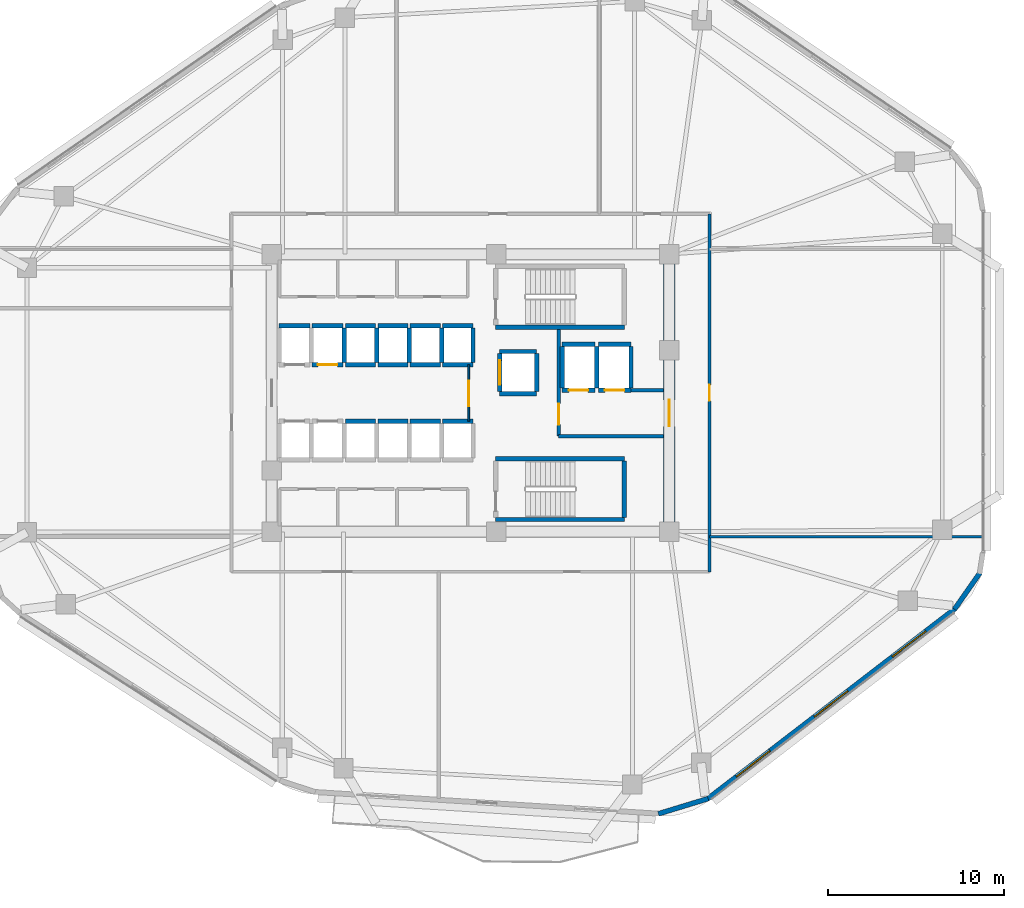
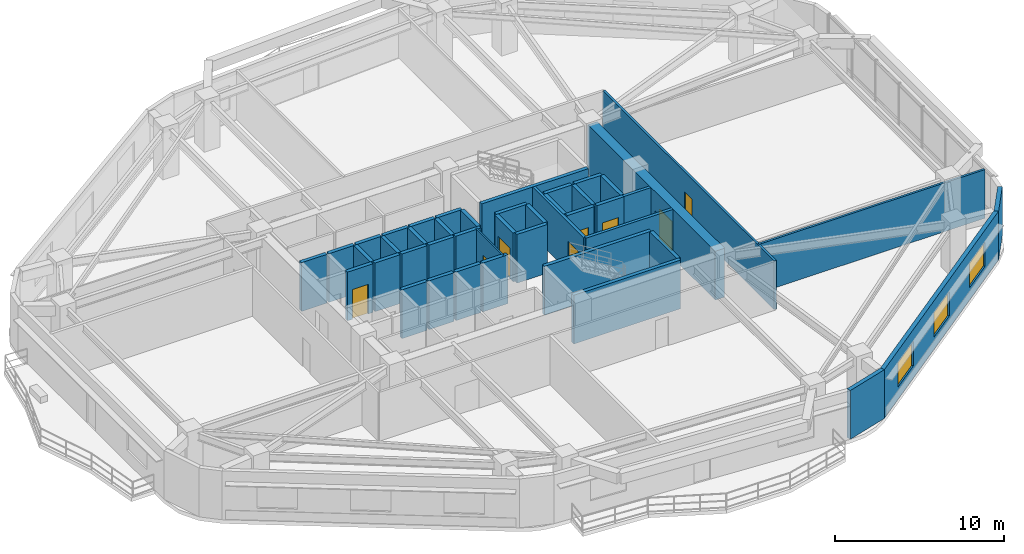
# One storey, part 9 of 14: 45 walls, 8 doors, 3 windows, 11 openings.
"""IFC4 building model written with IfcOpenShell, lengths in metres."""

from ifc_helpers import new_model, si_unit, direction, frame, frame_2d, origin, place, context, subcontext, project, spatial, rectangle, extrude, material, layer, layer_set, type_object, element, fill, save


model = new_model("IFC4")

# Units and contexts
model_context = context("Model", 3, precision=1e-05, world=origin(), true_north=direction((0.0, 1.0)))
body_context = subcontext(model_context, "Body", "Model", "MODEL_VIEW")
ifc_project = project(units=[si_unit("LENGTHUNIT", "METRE"), si_unit("AREAUNIT", "SQUARE_METRE"), si_unit("VOLUMEUNIT", "CUBIC_METRE"), si_unit("PLANEANGLEUNIT", "RADIAN"), si_unit("MASSUNIT", "GRAM", prefix="KILO")], contexts=[model_context])

# Site, building, storey
site_placement = place(None, origin())
site = spatial("IfcSite", under=ifc_project, at=site_placement, CompositionType="ELEMENT")
building_placement = place(site_placement, origin())
building = spatial("IfcBuilding", under=site, at=building_placement, Name="Zulverin Broadcast Headquarters", CompositionType="ELEMENT")
storey_placement = place(building_placement, frame((0.0, 0.0, 85.800048828125)))
storey = spatial("IfcBuildingStorey", under=building, at=storey_placement, Name="L21", CompositionType="ELEMENT", Elevation=85.800048828125)

# Wall, opening, door
ifc_material_1 = material(Name="Concrete C60/75", Category="concrete")
ifc_layer_1 = layer(ifc_material_1, 0.64990234375, Name="Concrete C60/75", Category="concrete")
ifc_layer_set_1 = layer_set([ifc_layer_1], Name="Concrete C60/75")
wall_type_1 = type_object("IfcWallType", Name="WL-CORE-650", PredefinedType="SHEAR", material=ifc_layer_set_1)
wall_1_placement = place(storey_placement, frame((48.27490234375, 17.64990234375, 0.0), z_axis=(0.0, 0.0, 1.0), x_axis=(0.0, 1.0, 0.0)))
wall_1 = element("IfcWall", 1, at=wall_1_placement, inside=storey, type_object=wall_type_1, Name="L21 Core East Shear Wall", PredefinedType="SHEAR", context=body_context, shape_type="SweptSolid", body=[
    extrude(rectangle(XDim=15.10009765625, YDim=0.64990234375, at=frame_2d((7.550048828125, 0.0))), origin(), (0.0, 0.0, 1.0), 3.52490234375),
])
opening_1_placement = place(wall_1_placement, frame((5.64990234375, 0.0, 0.0)))
opening_1 = element("IfcOpeningElement", 2, at=opening_1_placement, cuts=wall_1, Name="Opening D-L21-CE1", PredefinedType="OPENING", context=body_context, shape_type="SweptSolid", body=[
    extrude(rectangle(XDim=1.5, YDim=2.14990234375, at=frame_2d((0.75, 1.074951171875))), frame((0.0, 0.3349609375, 0.0), z_axis=(0.0, -1.0, 0.0), x_axis=(1.0, 0.0, 0.0)), (0.0, 0.0, 1.0), 0.669921875),
])
ifc_material_2 = material(Name="Fire-rated glazed steel frame", Category="steel")
door_type_1 = type_object("IfcDoorType", Name="DR-COR-1500", OperationType="DOUBLE_DOOR_SINGLE_SWING", PredefinedType="DOOR", material=ifc_material_2)
door_1_placement = place(opening_1_placement, origin())
door_1 = element("IfcDoor", 3, at=door_1_placement, inside=storey, type_object=door_type_1, Name="L21 Firefighting Lobby East Corridor Door", OperationType="DOUBLE_DOOR_SINGLE_SWING", OverallHeight=2.14990234375, OverallWidth=1.5, PredefinedType="DOOR", context=body_context, shape_type="SweptSolid", body=[
    extrude(rectangle(XDim=1.5, YDim=2.14990234375, at=frame_2d((0.75, 1.074951171875))), frame((0.0, 0.02490234375, 0.0), z_axis=(0.0, -1.0, 0.0), x_axis=(1.0, 0.0, 0.0)), (0.0, 0.0, 1.0), 0.050048828125),
])
fill(opening_1, door_1)

# Wall, openings, windows
ifc_material_3 = material(Name="Insulated pale-metal clad concrete spandrel C40/50", Category="concrete")
ifc_layer_2 = layer(ifc_material_3, 0.280029296875, Name="Insulated pale-metal clad concrete spandrel C40/50", Category="concrete")
ifc_layer_set_2 = layer_set([ifc_layer_2], Name="Insulated pale-metal clad concrete spandrel C40/50")
wall_type_2 = type_object("IfcWallType", Name="WL-EXT-280", PredefinedType="STANDARD", material=ifc_layer_set_2)
wall_2_placement = place(storey_placement, frame((50.4287109375, 2.171630859375, 0.0), z_axis=(0.0, 0.0, 1.0), x_axis=(0.792937466367, 0.609303023488, 0.0)))
wall_2 = element("IfcWall", 4, at=wall_2_placement, inside=storey, type_object=wall_type_2, Name="L21 Pale-Metal Clad Spandrel Wall 2", PredefinedType="STANDARD", context=body_context, shape_type="SweptSolid", body=[
    extrude(rectangle(XDim=17.712890625, YDim=0.280029296875, at=frame_2d((8.8564453125, 0.0))), origin(), (0.0, 0.0, 1.0), 3.52490234375),
])
opening_2_placement = place(wall_2_placement, frame((2.08544921875, 0.0, 0.89990234375)))
opening_2 = element("IfcOpeningElement", 5, at=opening_2_placement, cuts=wall_2, Name="Opening W-L21-E21", PredefinedType="OPENING", context=body_context, shape_type="SweptSolid", body=[
    extrude(rectangle(XDim=2.39990234375, YDim=1.75, at=frame_2d((1.199951171875, 0.875))), frame((0.0, 0.14990234375, 0.0), z_axis=(0.0, -1.0, 0.0), x_axis=(1.0, 0.0, 0.0)), (0.0, 0.0, 1.0), 0.300048828125),
])
opening_3_placement = place(wall_2_placement, frame((7.656494140625, 0.0, 0.89990234375)))
opening_3 = element("IfcOpeningElement", 6, at=opening_3_placement, cuts=wall_2, Name="Opening W-L21-E22", PredefinedType="OPENING", context=body_context, shape_type="SweptSolid", body=[
    extrude(rectangle(XDim=2.39990234375, YDim=1.75, at=frame_2d((1.199951171875, 0.875))), frame((0.0, 0.14990234375, 0.0), z_axis=(0.0, -1.0, 0.0), x_axis=(1.0, 0.0, 0.0)), (0.0, 0.0, 1.0), 0.300048828125),
])
opening_4_placement = place(wall_2_placement, frame((13.227294921875, 0.0, 0.89990234375)))
opening_4 = element("IfcOpeningElement", 7, at=opening_4_placement, cuts=wall_2, Name="Opening W-L21-E23", PredefinedType="OPENING", context=body_context, shape_type="SweptSolid", body=[
    extrude(rectangle(XDim=2.39990234375, YDim=1.75, at=frame_2d((1.199951171875, 0.875))), frame((0.0, 0.14990234375, 0.0), z_axis=(0.0, -1.0, 0.0), x_axis=(1.0, 0.0, 0.0)), (0.0, 0.0, 1.0), 0.300048828125),
])
ifc_material_4 = material(Name="Pale anodized aluminium frame with solar-control low-E double glazing", Category="aluminium")
window_type = type_object("IfcWindowType", Name="WIN-RIB-2400", PartitioningType="SINGLE_PANEL", PredefinedType="WINDOW", material=ifc_material_4)
window_1_placement = place(opening_2_placement, origin())
window_1 = element("IfcWindow", 8, at=window_1_placement, inside=storey, type_object=window_type, Name="L21 Ribbon Glazing Window 2 1", OverallHeight=1.75, OverallWidth=2.39990234375, PartitioningType="SINGLE_PANEL", PredefinedType="WINDOW", context=body_context, shape_type="SweptSolid", body=[
    extrude(rectangle(XDim=2.39990234375, YDim=1.75, at=frame_2d((1.199951171875, 0.875))), frame((0.0, 0.030029296875, 0.0), z_axis=(0.0, -1.0, 0.0), x_axis=(1.0, 0.0, 0.0)), (0.0, 0.0, 1.0), 0.06005859375),
])
fill(opening_2, window_1)
window_2_placement = place(opening_3_placement, origin())
window_2 = element("IfcWindow", 9, at=window_2_placement, inside=storey, type_object=window_type, Name="L21 Ribbon Glazing Window 2 2", OverallHeight=1.75, OverallWidth=2.39990234375, PartitioningType="SINGLE_PANEL", PredefinedType="WINDOW", context=body_context, shape_type="SweptSolid", body=[
    extrude(rectangle(XDim=2.39990234375, YDim=1.75, at=frame_2d((1.199951171875, 0.875))), frame((0.0, 0.030029296875, 0.0), z_axis=(0.0, -1.0, 0.0), x_axis=(1.0, 0.0, 0.0)), (0.0, 0.0, 1.0), 0.06005859375),
])
fill(opening_3, window_2)
window_3_placement = place(opening_4_placement, origin())
window_3 = element("IfcWindow", 10, at=window_3_placement, inside=storey, type_object=window_type, Name="L21 Ribbon Glazing Window 2 3", OverallHeight=1.75, OverallWidth=2.39990234375, PartitioningType="SINGLE_PANEL", PredefinedType="WINDOW", context=body_context, shape_type="SweptSolid", body=[
    extrude(rectangle(XDim=2.39990234375, YDim=1.75, at=frame_2d((1.199951171875, 0.875))), frame((0.0, 0.030029296875, 0.0), z_axis=(0.0, -1.0, 0.0), x_axis=(1.0, 0.0, 0.0)), (0.0, 0.0, 1.0), 0.06005859375),
])
fill(opening_4, window_3)

# Walls
wall_3_placement = place(storey_placement, frame((47.649658203125, 1.3330078125, 0.0), z_axis=(0.0, 0.0, 1.0), x_axis=(0.956461287977, 0.291859220516, 0.0)))
element("IfcWall", 11, at=wall_3_placement, inside=storey, type_object=wall_type_2, Name="L21 Wind-Shaped Corner Spandrel Wall 1-1", PredefinedType="STANDARD", context=body_context, shape_type="SweptSolid", body=[
    extrude(rectangle(XDim=2.951904296875, YDim=0.280029296875, at=frame_2d((1.47607421875, 0.0))), origin(), (0.0, 0.0, 1.0), 3.52490234375),
])
wall_4_placement = place(storey_placement, frame((64.4443359375, 12.933349609375, 0.0), z_axis=(0.0, 0.0, 1.0), x_axis=(0.573176686443, 0.819431806875, 0.0)))
element("IfcWall", 12, at=wall_4_placement, inside=storey, type_object=wall_type_2, Name="L21 Wind-Shaped Corner Spandrel Wall 2-1", PredefinedType="STANDARD", context=body_context, shape_type="SweptSolid", body=[
    extrude(rectangle(XDim=2.524169921875, YDim=0.280029296875, at=frame_2d((1.26220703125, 0.0))), origin(), (0.0, 0.0, 1.0), 3.52490234375),
])

# Wall, opening, door
ifc_material_5 = material(Name="Concrete C40/50", Category="concrete")
ifc_layer_3 = layer(ifc_material_5, 0.199951171875, Name="Concrete C40/50", Category="concrete")
ifc_layer_set_3 = layer_set([ifc_layer_3], Name="Concrete C40/50")
wall_type_3 = type_object("IfcWallType", Name="WL-FFL-200", PredefinedType="SOLIDWALL", material=ifc_layer_set_3)
wall_5_placement = place(storey_placement, frame((42.0, 22.75, 0.0), z_axis=(0.0, 0.0, 1.0), x_axis=(0.0, 1.0, 0.0)))
wall_5 = element("IfcWall", 13, at=wall_5_placement, inside=storey, type_object=wall_type_3, Name="L21 Firefighting Lift Lobby West Wall", PredefinedType="SOLIDWALL", context=body_context, shape_type="SweptSolid", body=[
    extrude(rectangle(XDim=6.050048828125, YDim=0.199951171875, at=frame_2d((3.02490234375, 0.0))), origin(), (0.0, 0.0, 1.0), 3.52490234375),
])
opening_5_placement = place(wall_5_placement, frame((0.64990234375, 0.0, 0.0)))
opening_5 = element("IfcOpeningElement", 14, at=opening_5_placement, cuts=wall_5, Name="Opening D-L21-FFLW", PredefinedType="OPENING", context=body_context, shape_type="SweptSolid", body=[
    extrude(rectangle(XDim=1.199951171875, YDim=2.14990234375, at=frame_2d((0.60009765625, 1.074951171875))), frame((0.0, 0.10986328125, 0.0), z_axis=(0.0, -1.0, 0.0), x_axis=(1.0, 0.0, 0.0)), (0.0, 0.0, 1.0), 0.219970703125),
])
ifc_material_6 = material(Name="Fire-rated steel leaf and frame", Category="steel")
door_type_2 = type_object("IfcDoorType", Name="DR-FFL-1200", OperationType="SINGLE_SWING_RIGHT", PredefinedType="DOOR", material=ifc_material_6)
door_2_placement = place(opening_5_placement, origin())
door_2 = element("IfcDoor", 15, at=door_2_placement, inside=storey, type_object=door_type_2, Name="L21 Firefighting Lift Lobby Door", OperationType="SINGLE_SWING_RIGHT", OverallHeight=2.14990234375, OverallWidth=1.199951171875, PredefinedType="DOOR", context=body_context, shape_type="SweptSolid", body=[
    extrude(rectangle(XDim=1.199951171875, YDim=2.14990234375, at=frame_2d((0.60009765625, 1.074951171875))), frame((0.0, 0.02490234375, 0.0), z_axis=(0.0, -1.0, 0.0), x_axis=(1.0, 0.0, 0.0)), (0.0, 0.0, 1.0), 0.050048828125),
])
fill(opening_5, door_2)

# Walls
wall_6_placement = place(storey_placement, frame((42.0, 22.75, 0.0), z_axis=(0.0, 0.0, 1.0), x_axis=(1.0, 0.0, 0.0)))
element("IfcWall", 16, at=wall_6_placement, inside=storey, type_object=wall_type_3, Name="L21 Firefighting Lift Lobby South Wall", PredefinedType="SOLIDWALL", context=body_context, shape_type="SweptSolid", body=[
    extrude(rectangle(XDim=5.949951171875, YDim=0.199951171875, at=frame_2d((2.97509765625, 0.0))), origin(), (0.0, 0.0, 1.0), 3.52490234375),
])
wall_7_placement = place(storey_placement, frame((46.10009765625, 25.35009765625, 0.0), z_axis=(0.0, 0.0, 1.0), x_axis=(1.0, 0.0, 0.0)))
element("IfcWall", 17, at=wall_7_placement, inside=storey, type_object=wall_type_3, Name="L21 Firefighting Lift Lobby North Wall", PredefinedType="SOLIDWALL", context=body_context, shape_type="SweptSolid", body=[
    extrude(rectangle(XDim=1.849853515625, YDim=0.199951171875, at=frame_2d((0.9248046875, 0.0))), origin(), (0.0, 0.0, 1.0), 3.52490234375),
])

# Wall, opening, door
ifc_material_7 = material(Name="Fire-rated acoustic laminated glass screen", Category="glass")
ifc_layer_4 = layer(ifc_material_7, 0.10009765625, Name="Fire-rated acoustic laminated glass screen", Category="glass")
ifc_layer_set_4 = layer_set([ifc_layer_4], Name="Fire-rated acoustic laminated glass screen")
wall_type_4 = type_object("IfcWallType", Name="WL-GLAZ-100", PredefinedType="PARTITIONING", material=ifc_layer_set_4)
wall_8_placement = place(storey_placement, frame((36.89990234375, 23.60009765625, 0.0), z_axis=(0.0, 0.0, 1.0), x_axis=(0.0, 1.0, 0.0)))
wall_8 = element("IfcWall", 18, at=wall_8_placement, inside=storey, type_object=wall_type_4, Name="L21 Core Goods & Stair Hall Screen", PredefinedType="PARTITIONING", context=body_context, shape_type="SweptSolid", body=[
    extrude(rectangle(XDim=3.199951171875, YDim=0.10009765625, at=frame_2d((1.60009765625, 0.0))), origin(), (0.0, 0.0, 1.0), 3.52490234375),
])
opening_6_placement = place(wall_8_placement, frame((0.85009765625, 0.0, 0.0)))
opening_6 = element("IfcOpeningElement", 19, at=opening_6_placement, cuts=wall_8, Name="Opening D-L21-CL3", PredefinedType="OPENING", context=body_context, shape_type="SweptSolid", body=[
    extrude(rectangle(XDim=1.449951171875, YDim=2.1201171875, at=frame_2d((0.72509765625, 1.06005859375))), frame((0.0, 0.06005859375, 0.0), z_axis=(0.0, -1.0, 0.0), x_axis=(1.0, 0.0, 0.0)), (0.0, 0.0, 1.0), 0.1201171875),
])
ifc_material_8 = material(Name="Fire-rated acoustic glazed double leaf", Category="glass")
door_type_3 = type_object("IfcDoorType", Name="DR-GLZ-1450", OperationType="DOUBLE_DOOR_SINGLE_SWING", PredefinedType="DOOR", material=ifc_material_8)
door_3_placement = place(opening_6_placement, origin())
door_3 = element("IfcDoor", 20, at=door_3_placement, inside=storey, type_object=door_type_3, Name="L21 Core Goods & Stair Hall Door", OperationType="DOUBLE_DOOR_SINGLE_SWING", OverallHeight=2.1201171875, OverallWidth=1.449951171875, PredefinedType="DOOR", context=body_context, shape_type="SweptSolid", body=[
    extrude(rectangle(XDim=1.449951171875, YDim=2.1201171875, at=frame_2d((0.72509765625, 1.06005859375))), frame((0.0, 0.02490234375, 0.0), z_axis=(0.0, -1.0, 0.0), x_axis=(1.0, 0.0, 0.0)), (0.0, 0.0, 1.0), 0.050048828125),
])
fill(opening_6, door_3)

ifc_material_9 = material(Name="Fire-rated gypsum stud partition", Category="gypsum")
ifc_layer_5 = layer(ifc_material_9, 0.14990234375, Name="Fire-rated gypsum stud partition", Category="gypsum")
ifc_layer_set_5 = layer_set([ifc_layer_5], Name="Fire-rated gypsum stud partition")
wall_type_5 = type_object("IfcWallType", Name="WL-PART-150", PredefinedType="PARTITIONING", material=ifc_layer_set_5)
wall_9_placement = place(storey_placement, frame((50.550048828125, 15.050048828125, 0.0), z_axis=(0.0, 0.0, 1.0), x_axis=(0.0, 1.0, 0.0)))
wall_9 = element("IfcWall", 21, at=wall_9_placement, inside=storey, type_object=wall_type_5, Name="L21 Gallery Partition Wall CG-01", PredefinedType="PARTITIONING", context=body_context, shape_type="SweptSolid", body=[
    extrude(rectangle(XDim=20.300048828125, YDim=0.14990234375, at=frame_2d((10.14990234375, 0.0))), origin(), (0.0, 0.0, 1.0), 3.52490234375),
])
opening_7_placement = place(wall_9_placement, frame((9.699951171875, 0.0, 0.0)))
opening_7 = element("IfcOpeningElement", 22, at=opening_7_placement, cuts=wall_9, Name="Opening D-L21-08", PredefinedType="OPENING", context=body_context, shape_type="SweptSolid", body=[
    extrude(rectangle(XDim=0.89990234375, YDim=2.10009765625, at=frame_2d((0.449951171875, 1.050048828125))), frame((0.0, 0.0849609375, 0.0), z_axis=(0.0, -1.0, 0.0), x_axis=(1.0, 0.0, 0.0)), (0.0, 0.0, 1.0), 0.169921875),
])
ifc_material_10 = material(Name="Fire-rated hardwood veneer timber leaf", Category="wood")
door_type_4 = type_object("IfcDoorType", Name="DR-ROOM-900", OperationType="SINGLE_SWING_RIGHT", PredefinedType="DOOR", material=ifc_material_10)
door_4_placement = place(opening_7_placement, origin())
door_4 = element("IfcDoor", 23, at=door_4_placement, inside=storey, type_object=door_type_4, Name="L21 Visitor Reception Door", OperationType="SINGLE_SWING_LEFT", OverallHeight=2.10009765625, OverallWidth=0.89990234375, PredefinedType="DOOR", context=body_context, shape_type="SweptSolid", body=[
    extrude(rectangle(XDim=0.89990234375, YDim=2.10009765625, at=frame_2d((0.449951171875, 1.050048828125))), frame((0.0, 0.02490234375, 0.0), z_axis=(0.0, -1.0, 0.0), x_axis=(1.0, 0.0, 0.0)), (0.0, 0.0, 1.0), 0.050048828125),
])
fill(opening_7, door_4)

# Walls
wall_10_placement = place(storey_placement, frame((50.550048828125, 17.050048828125, 0.0), z_axis=(0.0, 0.0, 1.0), x_axis=(1.0, 0.0, 0.0)))
element("IfcWall", 24, at=wall_10_placement, inside=storey, type_object=wall_type_5, Name="L21 Room Partition Wall RP-08", PredefinedType="PARTITIONING", context=body_context, shape_type="SweptSolid", body=[
    extrude(rectangle(XDim=15.445068359375, YDim=0.14990234375, at=frame_2d((7.72265625, 0.0))), origin(), (0.0, 0.0, 1.0), 3.52490234375),
])
ifc_material_11 = material(Name="Concrete C50/60", Category="concrete")
ifc_layer_6 = layer(ifc_material_11, 0.25, Name="Concrete C50/60", Category="concrete")
ifc_layer_set_6 = layer_set([ifc_layer_6], Name="Concrete C50/60")
wall_type_6 = type_object("IfcWallType", Name="WL-SHAFT-250", PredefinedType="SHEAR", material=ifc_layer_set_6)
for number, where, z_axis, x_axis, name in (
    (25, (38.425048828125, 28.925048828125, 0.0), (0.0, 0.0, 1.0), (1.0, 0.0, 0.0), "L21 ST-1 Enclosure Wall S"),
    (26, (38.425048828125, 18.02490234375, 0.0), (0.0, 0.0, 1.0), (1.0, 0.0, 0.0), "L21 ST-2 Enclosure Wall S"),
    (27, (38.425048828125, 21.47509765625, 0.0), (0.0, 0.0, 1.0), (1.0, 0.0, 0.0), "L21 ST-2 Enclosure Wall N"),
):
    element("IfcWall", number, at=place(storey_placement, frame(where, z_axis=z_axis, x_axis=x_axis)), inside=storey, type_object=wall_type_6, Name=name, PredefinedType="SHEAR", context=body_context, shape_type="SweptSolid", body=[
        extrude(rectangle(XDim=7.300048828125, YDim=0.25, at=frame_2d((3.64990234375, 0.0))), origin(), (0.0, 0.0, 1.0), 3.52490234375),
    ])
wall_11_placement = place(storey_placement, frame((45.72509765625, 18.14990234375, 0.0), z_axis=(0.0, 0.0, 1.0), x_axis=(0.0, 1.0, 0.0)))
element("IfcWall", 28, at=wall_11_placement, inside=storey, type_object=wall_type_6, Name="L21 ST-2 Enclosure Wall E", PredefinedType="SHEAR", context=body_context, shape_type="SweptSolid", body=[
    extrude(rectangle(XDim=3.2001953125, YDim=0.25, at=frame_2d((1.60009765625, 0.0))), origin(), (0.0, 0.0, 1.0), 3.52490234375),
])
wall_12_placement = place(storey_placement, frame((26.14990234375, 29.0, 0.0), z_axis=(0.0, 0.0, 1.0), x_axis=(1.0, 0.0, 0.0)))
element("IfcWall", 29, at=wall_12_placement, inside=storey, type_object=wall_type_6, Name="L21 Lift PL-L1 Shaft Wall N", PredefinedType="SHEAR", context=body_context, shape_type="SweptSolid", body=[
    extrude(rectangle(XDim=1.75, YDim=0.25, at=frame_2d((0.875, 0.0))), origin(), (0.0, 0.0, 1.0), 3.52490234375),
])

# Wall, opening, door
wall_13_placement = place(storey_placement, frame((28.02001953125, 26.800048828125, 0.0), z_axis=(0.0, 0.0, 1.0), x_axis=(1.0, 0.0, 0.0)))
wall_13 = element("IfcWall", 30, at=wall_13_placement, inside=storey, type_object=wall_type_6, Name="L21 Lift PL-L2 Shaft Wall S", PredefinedType="SHEAR", context=body_context, shape_type="SweptSolid", body=[
    extrude(rectangle(XDim=1.75, YDim=0.25, at=frame_2d((0.875, 0.0))), origin(), (0.0, 0.0, 1.0), 3.52490234375),
])
opening_8_placement = place(wall_13_placement, frame((0.324951171875, 0.0, 0.0)))
opening_8 = element("IfcOpeningElement", 31, at=opening_8_placement, cuts=wall_13, Name="Opening LD-PL-L2-L21", PredefinedType="OPENING", context=body_context, shape_type="SweptSolid", body=[
    extrude(rectangle(XDim=1.10009765625, YDim=2.14990234375, at=frame_2d((0.550048828125, 1.074951171875))), frame((0.0, 0.135009765625, 0.0), z_axis=(0.0, -1.0, 0.0), x_axis=(1.0, 0.0, 0.0)), (0.0, 0.0, 1.0), 0.27001953125),
])
ifc_material_12 = material(Name="Brushed stainless steel landing", Category="steel")
door_type_5 = type_object("IfcDoorType", Name="LD-PASS-1100", OperationType="DOUBLE_DOOR_SLIDING", PredefinedType="DOOR", material=ifc_material_12)
door_5_placement = place(opening_8_placement, origin())
door_5 = element("IfcDoor", 32, at=door_5_placement, inside=storey, type_object=door_type_5, Name="L21 Lift PL-L2 Sliding Landing Door", OperationType="DOUBLE_DOOR_SLIDING", OverallHeight=2.14990234375, OverallWidth=1.10009765625, PredefinedType="DOOR", context=body_context, shape_type="SweptSolid", body=[
    extrude(rectangle(XDim=1.10009765625, YDim=2.14990234375, at=frame_2d((0.550048828125, 1.074951171875))), frame((0.0, 0.02490234375, 0.0), z_axis=(0.0, -1.0, 0.0), x_axis=(1.0, 0.0, 0.0)), (0.0, 0.0, 1.0), 0.050048828125),
])
fill(opening_8, door_5)

# Walls
wall_14_placement = place(storey_placement, frame((28.02001953125, 29.0, 0.0), z_axis=(0.0, 0.0, 1.0), x_axis=(1.0, 0.0, 0.0)))
element("IfcWall", 33, at=wall_14_placement, inside=storey, type_object=wall_type_6, Name="L21 Lift PL-L2 Shaft Wall N", PredefinedType="SHEAR", context=body_context, shape_type="SweptSolid", body=[
    extrude(rectangle(XDim=1.75, YDim=0.25, at=frame_2d((0.875, 0.0))), origin(), (0.0, 0.0, 1.0), 3.52490234375),
])
wall_15_placement = place(storey_placement, frame((29.8349609375, 26.919921875, 0.0), z_axis=(0.0, 0.0, 1.0), x_axis=(0.0, 1.0, 0.0)))
element("IfcWall", 34, at=wall_15_placement, inside=storey, type_object=wall_type_6, Name="L21 Lift PL-L2 Shaft Wall E", PredefinedType="SHEAR", context=body_context, shape_type="SweptSolid", body=[
    extrude(rectangle(XDim=1.9599609375, YDim=0.25, at=frame_2d((0.97998046875, 0.0))), origin(), (0.0, 0.0, 1.0), 3.52490234375),
])
wall_16_placement = place(storey_placement, frame((29.89990234375, 23.60009765625, 0.0), z_axis=(0.0, 0.0, 1.0), x_axis=(1.0, 0.0, 0.0)))
element("IfcWall", 35, at=wall_16_placement, inside=storey, type_object=wall_type_6, Name="L21 Lift PL-M1 Shaft Wall N", PredefinedType="SHEAR", context=body_context, shape_type="SweptSolid", body=[
    extrude(rectangle(XDim=1.72021484375, YDim=0.25, at=frame_2d((0.860107421875, 0.0))), origin(), (0.0, 0.0, 1.0), 3.52490234375),
])
for number, where, z_axis, x_axis, name in (
    (36, (31.739990234375, 23.60009765625, 0.0), (0.0, 0.0, 1.0), (1.0, 0.0, 0.0), "L21 Lift PL-M2 Shaft Wall N"),
    (37, (33.580078125, 23.60009765625, 0.0), (0.0, 0.0, 1.0), (1.0, 0.0, 0.0), "L21 Lift PL-M3 Shaft Wall N"),
    (38, (35.419921875, 23.60009765625, 0.0), (0.0, 0.0, 1.0), (1.0, 0.0, 0.0), "L21 Lift PL-M4 Shaft Wall N"),
):
    element("IfcWall", number, at=place(storey_placement, frame(where, z_axis=z_axis, x_axis=x_axis)), inside=storey, type_object=wall_type_6, Name=name, PredefinedType="SHEAR", context=body_context, shape_type="SweptSolid", body=[
        extrude(rectangle(XDim=1.719970703125, YDim=0.25, at=frame_2d((0.85986328125, 0.0))), origin(), (0.0, 0.0, 1.0), 3.52490234375),
    ])
for number, where, z_axis, x_axis, name in (
    (39, (29.89990234375, 26.800048828125, 0.0), (0.0, 0.0, 1.0), (1.0, 0.0, 0.0), "L21 Lift PL-H1 Shaft Wall S"),
    (40, (29.89990234375, 29.0, 0.0), (0.0, 0.0, 1.0), (1.0, 0.0, 0.0), "L21 Lift PL-H1 Shaft Wall N"),
):
    element("IfcWall", number, at=place(storey_placement, frame(where, z_axis=z_axis, x_axis=x_axis)), inside=storey, type_object=wall_type_6, Name=name, PredefinedType="SHEAR", context=body_context, shape_type="SweptSolid", body=[
        extrude(rectangle(XDim=1.72021484375, YDim=0.25, at=frame_2d((0.860107421875, 0.0))), origin(), (0.0, 0.0, 1.0), 3.52490234375),
    ])
wall_17_placement = place(storey_placement, frame((31.679931640625, 26.919921875, 0.0), z_axis=(0.0, 0.0, 1.0), x_axis=(0.0, 1.0, 0.0)))
element("IfcWall", 41, at=wall_17_placement, inside=storey, type_object=wall_type_6, Name="L21 Lift PL-H1 Shaft Wall E", PredefinedType="SHEAR", context=body_context, shape_type="SweptSolid", body=[
    extrude(rectangle(XDim=1.9599609375, YDim=0.25, at=frame_2d((0.97998046875, 0.0))), origin(), (0.0, 0.0, 1.0), 3.52490234375),
])
for number, where, z_axis, x_axis, name in (
    (42, (31.739990234375, 26.800048828125, 0.0), (0.0, 0.0, 1.0), (1.0, 0.0, 0.0), "L21 Lift PL-H2 Shaft Wall S"),
    (43, (31.739990234375, 29.0, 0.0), (0.0, 0.0, 1.0), (1.0, 0.0, 0.0), "L21 Lift PL-H2 Shaft Wall N"),
):
    element("IfcWall", number, at=place(storey_placement, frame(where, z_axis=z_axis, x_axis=x_axis)), inside=storey, type_object=wall_type_6, Name=name, PredefinedType="SHEAR", context=body_context, shape_type="SweptSolid", body=[
        extrude(rectangle(XDim=1.719970703125, YDim=0.25, at=frame_2d((0.85986328125, 0.0))), origin(), (0.0, 0.0, 1.0), 3.52490234375),
    ])
wall_18_placement = place(storey_placement, frame((33.52001953125, 26.919921875, 0.0), z_axis=(0.0, 0.0, 1.0), x_axis=(0.0, 1.0, 0.0)))
element("IfcWall", 44, at=wall_18_placement, inside=storey, type_object=wall_type_6, Name="L21 Lift PL-H2 Shaft Wall E", PredefinedType="SHEAR", context=body_context, shape_type="SweptSolid", body=[
    extrude(rectangle(XDim=1.9599609375, YDim=0.25, at=frame_2d((0.97998046875, 0.0))), origin(), (0.0, 0.0, 1.0), 3.52490234375),
])
for number, where, z_axis, x_axis, name in (
    (45, (33.580078125, 26.800048828125, 0.0), (0.0, 0.0, 1.0), (1.0, 0.0, 0.0), "L21 Lift PL-H3 Shaft Wall S"),
    (46, (33.580078125, 29.0, 0.0), (0.0, 0.0, 1.0), (1.0, 0.0, 0.0), "L21 Lift PL-H3 Shaft Wall N"),
):
    element("IfcWall", number, at=place(storey_placement, frame(where, z_axis=z_axis, x_axis=x_axis)), inside=storey, type_object=wall_type_6, Name=name, PredefinedType="SHEAR", context=body_context, shape_type="SweptSolid", body=[
        extrude(rectangle(XDim=1.719970703125, YDim=0.25, at=frame_2d((0.85986328125, 0.0))), origin(), (0.0, 0.0, 1.0), 3.52490234375),
    ])
wall_19_placement = place(storey_placement, frame((35.360107421875, 26.919921875, 0.0), z_axis=(0.0, 0.0, 1.0), x_axis=(0.0, 1.0, 0.0)))
element("IfcWall", 47, at=wall_19_placement, inside=storey, type_object=wall_type_6, Name="L21 Lift PL-H3 Shaft Wall E", PredefinedType="SHEAR", context=body_context, shape_type="SweptSolid", body=[
    extrude(rectangle(XDim=1.9599609375, YDim=0.25, at=frame_2d((0.97998046875, 0.0))), origin(), (0.0, 0.0, 1.0), 3.52490234375),
])
for number, where, z_axis, x_axis, name in (
    (48, (35.419921875, 26.800048828125, 0.0), (0.0, 0.0, 1.0), (1.0, 0.0, 0.0), "L21 Lift PL-H4 Shaft Wall S"),
    (49, (35.419921875, 29.0, 0.0), (0.0, 0.0, 1.0), (1.0, 0.0, 0.0), "L21 Lift PL-H4 Shaft Wall N"),
):
    element("IfcWall", number, at=place(storey_placement, frame(where, z_axis=z_axis, x_axis=x_axis)), inside=storey, type_object=wall_type_6, Name=name, PredefinedType="SHEAR", context=body_context, shape_type="SweptSolid", body=[
        extrude(rectangle(XDim=1.719970703125, YDim=0.25, at=frame_2d((0.85986328125, 0.0))), origin(), (0.0, 0.0, 1.0), 3.52490234375),
    ])
wall_20_placement = place(storey_placement, frame((37.139892578125, 26.919921875, 0.0), z_axis=(0.0, 0.0, 1.0), x_axis=(0.0, 1.0, 0.0)))
element("IfcWall", 50, at=wall_20_placement, inside=storey, type_object=wall_type_6, Name="L21 Lift PL-H4 Shaft Wall E", PredefinedType="SHEAR", context=body_context, shape_type="SweptSolid", body=[
    extrude(rectangle(XDim=1.9599609375, YDim=0.25, at=frame_2d((0.97998046875, 0.0))), origin(), (0.0, 0.0, 1.0), 3.52490234375),
])

# Wall, opening, door
wall_21_placement = place(storey_placement, frame((42.199951171875, 25.35009765625, 0.0), z_axis=(0.0, 0.0, 1.0), x_axis=(1.0, 0.0, 0.0)))
wall_21 = element("IfcWall", 51, at=wall_21_placement, inside=storey, type_object=wall_type_6, Name="L21 Lift FFL-1 Shaft Wall S", PredefinedType="SHEAR", context=body_context, shape_type="SweptSolid", body=[
    extrude(rectangle(XDim=1.85009765625, YDim=0.25, at=frame_2d((0.925048828125, 0.0))), origin(), (0.0, 0.0, 1.0), 3.52490234375),
])
opening_9_placement = place(wall_21_placement, frame((0.375, 0.0, 0.0)))
opening_9 = element("IfcOpeningElement", 52, at=opening_9_placement, cuts=wall_21, Name="Opening LD-FFL-1-L21", PredefinedType="OPENING", context=body_context, shape_type="SweptSolid", body=[
    extrude(rectangle(XDim=1.10009765625, YDim=2.14990234375, at=frame_2d((0.550048828125, 1.074951171875))), frame((0.0, 0.135009765625, 0.0), z_axis=(0.0, -1.0, 0.0), x_axis=(1.0, 0.0, 0.0)), (0.0, 0.0, 1.0), 0.27001953125),
])
ifc_material_13 = material(Name="Fire-rated stainless landing door", Category="steel")
door_type_6 = type_object("IfcDoorType", Name="LD-FFL-1100", OperationType="DOUBLE_DOOR_SLIDING", PredefinedType="DOOR", material=ifc_material_13)
door_6_placement = place(opening_9_placement, origin())
door_6 = element("IfcDoor", 53, at=door_6_placement, inside=storey, type_object=door_type_6, Name="L21 Lift FFL-1 Sliding Landing Door", OperationType="DOUBLE_DOOR_SLIDING", OverallHeight=2.14990234375, OverallWidth=1.10009765625, PredefinedType="DOOR", context=body_context, shape_type="SweptSolid", body=[
    extrude(rectangle(XDim=1.10009765625, YDim=2.14990234375, at=frame_2d((0.550048828125, 1.074951171875))), frame((0.0, 0.02490234375, 0.0), z_axis=(0.0, -1.0, 0.0), x_axis=(1.0, 0.0, 0.0)), (0.0, 0.0, 1.0), 0.050048828125),
])
fill(opening_9, door_6)

# Walls
wall_22_placement = place(storey_placement, frame((42.199951171875, 27.949951171875, 0.0), z_axis=(0.0, 0.0, 1.0), x_axis=(1.0, 0.0, 0.0)))
element("IfcWall", 54, at=wall_22_placement, inside=storey, type_object=wall_type_6, Name="L21 Lift FFL-1 Shaft Wall N", PredefinedType="SHEAR", context=body_context, shape_type="SweptSolid", body=[
    extrude(rectangle(XDim=1.85009765625, YDim=0.25, at=frame_2d((0.925048828125, 0.0))), origin(), (0.0, 0.0, 1.0), 3.52490234375),
])
for number, where, z_axis, x_axis, name in (
    (55, (42.199951171875, 25.469970703125, 0.0), (0.0, 0.0, 1.0), (0.0, 1.0, 0.0), "L21 Lift FFL-1 Shaft Wall W"),
    (56, (44.14990234375, 25.469970703125, 0.0), (0.0, 0.0, 1.0), (0.0, 1.0, 0.0), "L21 Lift FFL-1 Shaft Wall E"),
):
    element("IfcWall", number, at=place(storey_placement, frame(where, z_axis=z_axis, x_axis=x_axis)), inside=storey, type_object=wall_type_6, Name=name, PredefinedType="SHEAR", context=body_context, shape_type="SweptSolid", body=[
        extrude(rectangle(XDim=2.360107421875, YDim=0.25, at=frame_2d((1.18017578125, 0.0))), origin(), (0.0, 0.0, 1.0), 3.52490234375),
    ])

# Wall, opening, door
wall_23_placement = place(storey_placement, frame((44.25, 25.35009765625, 0.0), z_axis=(0.0, 0.0, 1.0), x_axis=(1.0, 0.0, 0.0)))
wall_23 = element("IfcWall", 57, at=wall_23_placement, inside=storey, type_object=wall_type_6, Name="L21 Lift FFL-2 Shaft Wall S", PredefinedType="SHEAR", context=body_context, shape_type="SweptSolid", body=[
    extrude(rectangle(XDim=1.85009765625, YDim=0.25, at=frame_2d((0.925048828125, 0.0))), origin(), (0.0, 0.0, 1.0), 3.52490234375),
])
opening_10_placement = place(wall_23_placement, frame((0.375, 0.0, 0.0)))
opening_10 = element("IfcOpeningElement", 58, at=opening_10_placement, cuts=wall_23, Name="Opening LD-FFL-2-L21", PredefinedType="OPENING", context=body_context, shape_type="SweptSolid", body=[
    extrude(rectangle(XDim=1.10009765625, YDim=2.14990234375, at=frame_2d((0.550048828125, 1.074951171875))), frame((0.0, 0.135009765625, 0.0), z_axis=(0.0, -1.0, 0.0), x_axis=(1.0, 0.0, 0.0)), (0.0, 0.0, 1.0), 0.27001953125),
])
door_7_placement = place(opening_10_placement, origin())
door_7 = element("IfcDoor", 59, at=door_7_placement, inside=storey, type_object=door_type_6, Name="L21 Lift FFL-2 Sliding Landing Door", OperationType="DOUBLE_DOOR_SLIDING", OverallHeight=2.14990234375, OverallWidth=1.10009765625, PredefinedType="DOOR", context=body_context, shape_type="SweptSolid", body=[
    extrude(rectangle(XDim=1.10009765625, YDim=2.14990234375, at=frame_2d((0.550048828125, 1.074951171875))), frame((0.0, 0.02490234375, 0.0), z_axis=(0.0, -1.0, 0.0), x_axis=(1.0, 0.0, 0.0)), (0.0, 0.0, 1.0), 0.050048828125),
])
fill(opening_10, door_7)

# Walls
wall_24_placement = place(storey_placement, frame((44.25, 27.949951171875, 0.0), z_axis=(0.0, 0.0, 1.0), x_axis=(1.0, 0.0, 0.0)))
element("IfcWall", 60, at=wall_24_placement, inside=storey, type_object=wall_type_6, Name="L21 Lift FFL-2 Shaft Wall N", PredefinedType="SHEAR", context=body_context, shape_type="SweptSolid", body=[
    extrude(rectangle(XDim=1.85009765625, YDim=0.25, at=frame_2d((0.925048828125, 0.0))), origin(), (0.0, 0.0, 1.0), 3.52490234375),
])
wall_25_placement = place(storey_placement, frame((46.10009765625, 25.469970703125, 0.0), z_axis=(0.0, 0.0, 1.0), x_axis=(0.0, 1.0, 0.0)))
element("IfcWall", 61, at=wall_25_placement, inside=storey, type_object=wall_type_6, Name="L21 Lift FFL-2 Shaft Wall E", PredefinedType="SHEAR", context=body_context, shape_type="SweptSolid", body=[
    extrude(rectangle(XDim=2.360107421875, YDim=0.25, at=frame_2d((1.18017578125, 0.0))), origin(), (0.0, 0.0, 1.0), 3.52490234375),
])
for number, where, z_axis, x_axis, name in (
    (62, (38.64990234375, 25.14990234375, 0.0), (0.0, 0.0, 1.0), (1.0, 0.0, 0.0), "L21 Lift SVL-1 Shaft Wall S"),
    (63, (38.64990234375, 27.550048828125, 0.0), (0.0, 0.0, 1.0), (1.0, 0.0, 0.0), "L21 Lift SVL-1 Shaft Wall N"),
):
    element("IfcWall", number, at=place(storey_placement, frame(where, z_axis=z_axis, x_axis=x_axis)), inside=storey, type_object=wall_type_6, Name=name, PredefinedType="SHEAR", context=body_context, shape_type="SweptSolid", body=[
        extrude(rectangle(XDim=2.10009765625, YDim=0.25, at=frame_2d((1.050048828125, 0.0))), origin(), (0.0, 0.0, 1.0), 3.52490234375),
    ])

# Wall, opening, door
wall_26_placement = place(storey_placement, frame((38.64990234375, 25.27001953125, 0.0), z_axis=(0.0, 0.0, 1.0), x_axis=(0.0, 1.0, 0.0)))
wall_26 = element("IfcWall", 64, at=wall_26_placement, inside=storey, type_object=wall_type_6, Name="L21 Lift SVL-1 Shaft Wall W", PredefinedType="SHEAR", context=body_context, shape_type="SweptSolid", body=[
    extrude(rectangle(XDim=2.159912109375, YDim=0.25, at=frame_2d((1.080078125, 0.0))), origin(), (0.0, 0.0, 1.0), 3.52490234375),
])
opening_11_placement = place(wall_26_placement, frame((0.3798828125, 0.0, 0.0)))
opening_11 = element("IfcOpeningElement", 65, at=opening_11_placement, cuts=wall_26, Name="Opening LD-SVL-1-L21", PredefinedType="OPENING", context=body_context, shape_type="SweptSolid", body=[
    extrude(rectangle(XDim=1.39990234375, YDim=2.199951171875, at=frame_2d((0.699951171875, 1.10009765625))), frame((0.0, 0.135009765625, 0.0), z_axis=(0.0, -1.0, 0.0), x_axis=(1.0, 0.0, 0.0)), (0.0, 0.0, 1.0), 0.27001953125),
])
ifc_material_14 = material(Name="Heavy-duty stainless landing door", Category="steel")
door_type_7 = type_object("IfcDoorType", Name="LD-GOODS-1400", OperationType="DOUBLE_DOOR_SLIDING", PredefinedType="DOOR", material=ifc_material_14)
door_8_placement = place(opening_11_placement, origin())
door_8 = element("IfcDoor", 66, at=door_8_placement, inside=storey, type_object=door_type_7, Name="L21 Lift SVL-1 Sliding Landing Door", OperationType="DOUBLE_DOOR_SLIDING", OverallHeight=2.199951171875, OverallWidth=1.39990234375, PredefinedType="DOOR", context=body_context, shape_type="SweptSolid", body=[
    extrude(rectangle(XDim=1.39990234375, YDim=2.199951171875, at=frame_2d((0.699951171875, 1.10009765625))), frame((0.0, 0.02490234375, 0.0), z_axis=(0.0, -1.0, 0.0), x_axis=(1.0, 0.0, 0.0)), (0.0, 0.0, 1.0), 0.050048828125),
])
fill(opening_11, door_8)

# Wall
wall_27_placement = place(storey_placement, frame((40.75, 25.27001953125, 0.0), z_axis=(0.0, 0.0, 1.0), x_axis=(0.0, 1.0, 0.0)))
element("IfcWall", 67, at=wall_27_placement, inside=storey, type_object=wall_type_6, Name="L21 Lift SVL-1 Shaft Wall E", PredefinedType="SHEAR", context=body_context, shape_type="SweptSolid", body=[
    extrude(rectangle(XDim=2.159912109375, YDim=0.25, at=frame_2d((1.080078125, 0.0))), origin(), (0.0, 0.0, 1.0), 3.52490234375),
])

save(model, "model.ifc")
